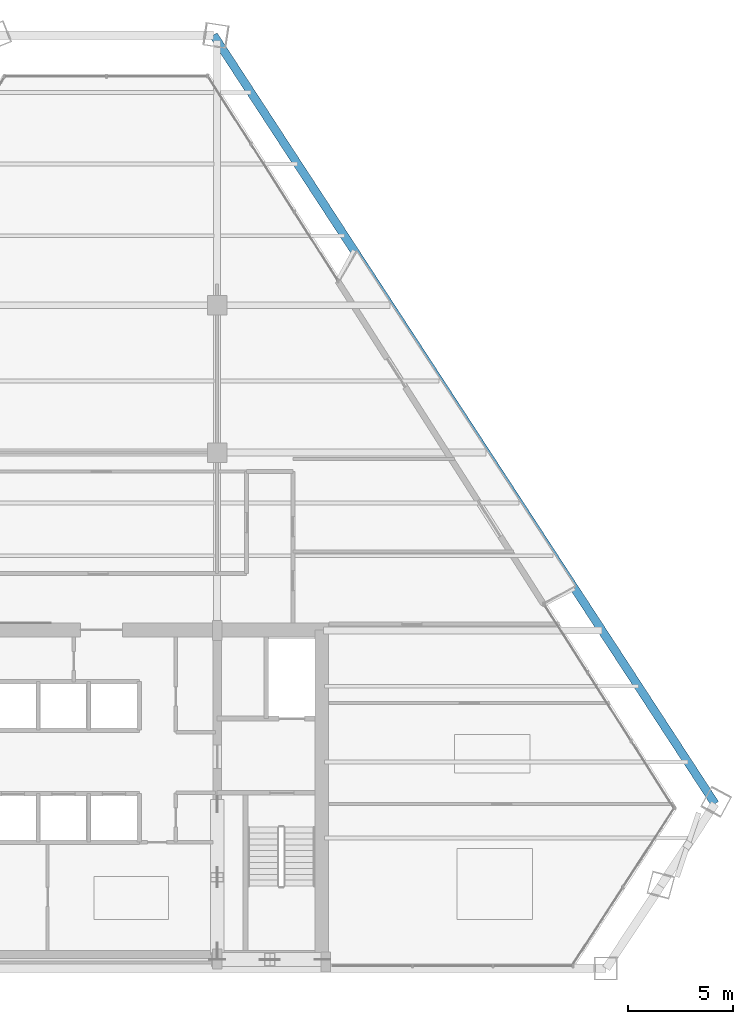
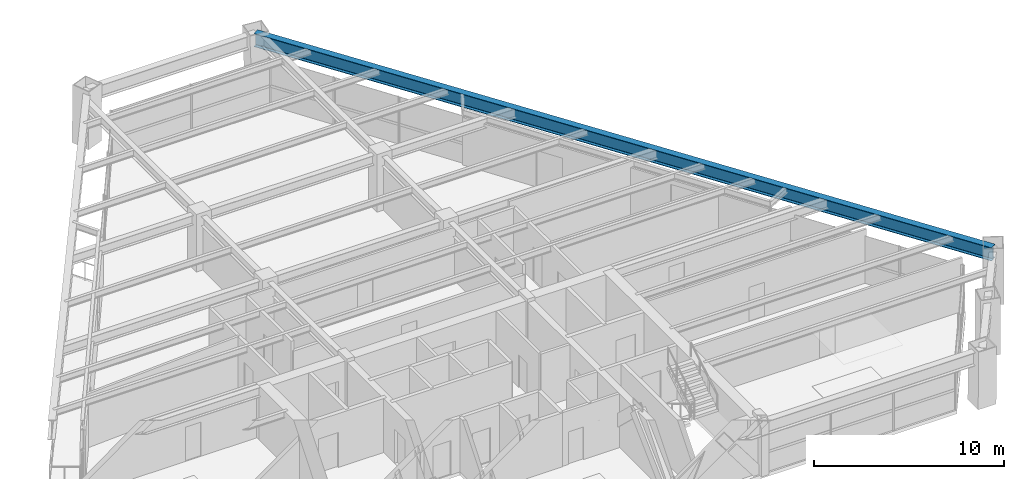
# One storey, part 7 of 15: 1 beam.
"""IFC4 building model written with IfcOpenShell, lengths in metres."""

from ifc_helpers import new_model, si_unit, direction, frame, origin, origin_2d, place, context, subcontext, project, spatial, i_section, extrude, source, transform, mapped, material, material_profile, profile_set, type_object, element, save


model = new_model("IFC4")

# Units and contexts
model_context = context("Model", 3, precision=1e-05, world=origin(), true_north=direction((0.0, 1.0)))
body_context = subcontext(model_context, "Body", "Model", "MODEL_VIEW")
ifc_project = project(units=[si_unit("LENGTHUNIT", "METRE"), si_unit("AREAUNIT", "SQUARE_METRE"), si_unit("VOLUMEUNIT", "CUBIC_METRE"), si_unit("PLANEANGLEUNIT", "RADIAN"), si_unit("MASSUNIT", "GRAM", prefix="KILO")], contexts=[model_context])

# Site, building, storey
site_placement = place(None, origin())
site = spatial("IfcSite", under=ifc_project, at=site_placement, CompositionType="ELEMENT")
building_placement = place(site_placement, origin())
building = spatial("IfcBuilding", under=site, at=building_placement, Name="Varnakhor Terracotta Tower", CompositionType="ELEMENT")
storey_placement = place(building_placement, frame((0.0, 0.0, 144.10009765625)))
storey = spatial("IfcBuildingStorey", under=building, at=storey_placement, Name="L36", CompositionType="ELEMENT", Elevation=144.10009765625)

# Beam
ifc_material = material(Name="Steel S355", Category="steel")
ifc_material_profile = material_profile(ifc_material, i_section(OverallWidth=0.39990234375, OverallDepth=0.85498046875, WebThickness=0.01806640625, FlangeThickness=0.029052734375, FilletRadius=0.01806640625, at=origin_2d()), Name="W33X201")
ifc_profile_set = profile_set([ifc_material_profile], Name="Steel S355")
beam_type = type_object("IfcBeamType", Name="BM-W33X201", PredefinedType="BEAM", material=ifc_profile_set)
shared_shape = source(origin(), body_context, "Body", "SweptSolid", [
    extrude(i_section(OverallWidth=0.39990234375, OverallDepth=0.85498046875, WebThickness=0.01806640625, FlangeThickness=0.029052734375, FilletRadius=0.01806640625, at=origin_2d()), origin(), (0.0, 0.0, 1.0), 43.594970703125),
])
beam_placement = place(storey_placement, frame((29.1494140625, 7.81982421875, 3.04248046875), z_axis=(-0.546429032627, 0.837505410312, 0.0), x_axis=(-0.837505410312, -0.546429032627, 0.0)))
element("IfcBeam", 1, at=beam_placement, inside=storey, type_object=beam_type, Name="L36 Perimeter Spandrel 4", PredefinedType="BEAM", context=body_context, shape_type="MappedRepresentation", body=[
    mapped(shared_shape, transform((0.0, 0.0, 0.0), scale=1.0)),
])

save(model, "model.ifc")
